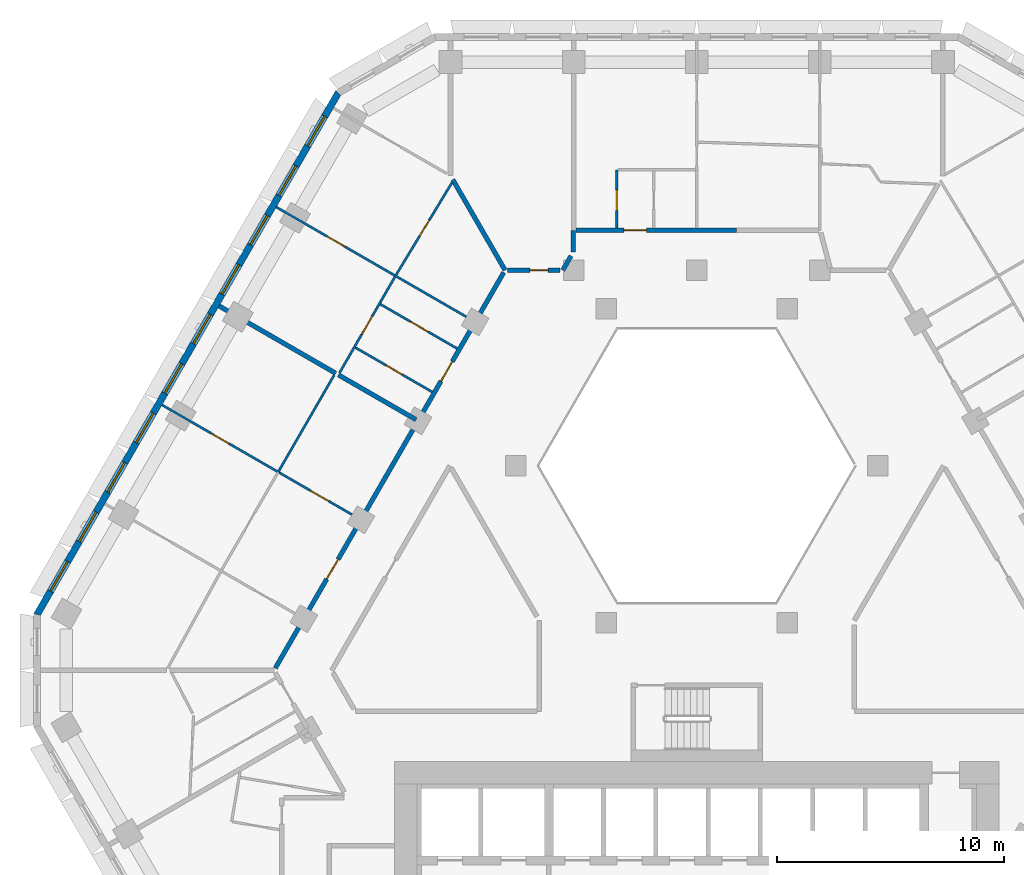
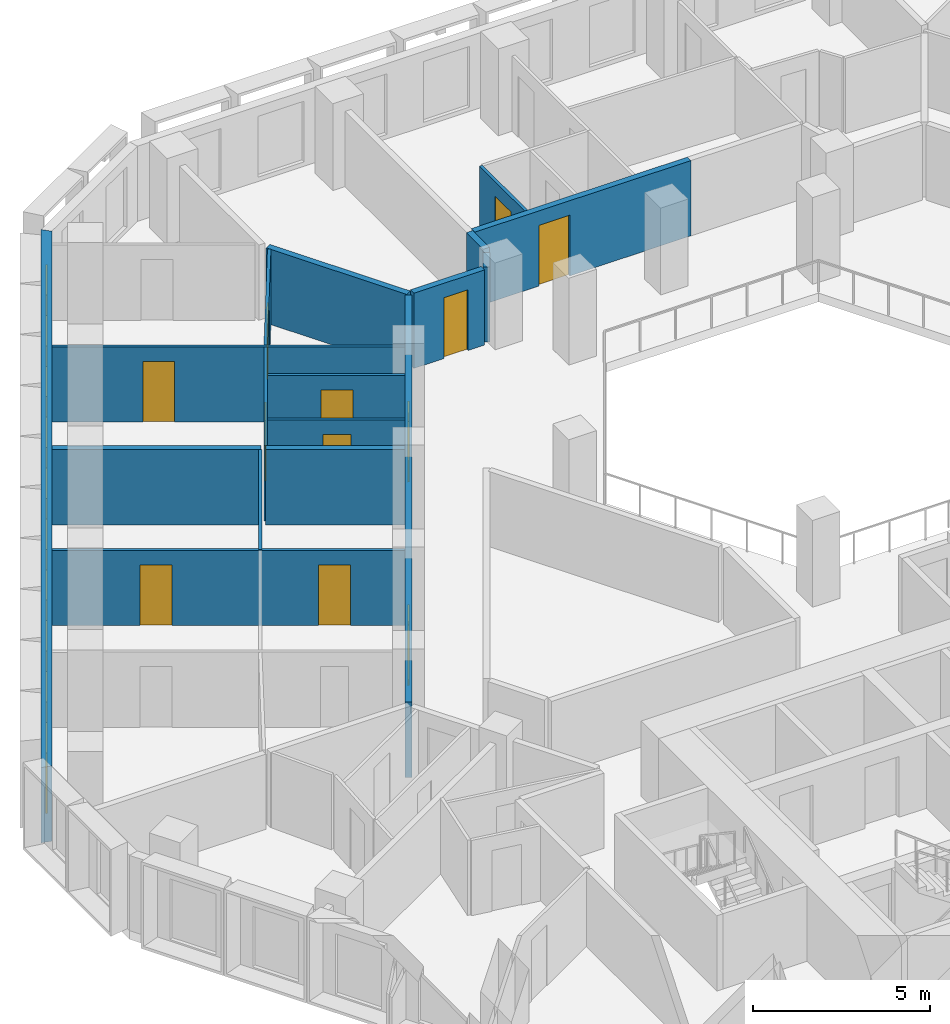
# One storey, part 8 of 18: 17 walls, 12 doors, 10 windows, 22 openings.
"""IFC4 building model written with IfcOpenShell, lengths in metres."""

from ifc_helpers import new_model, si_unit, direction, frame, frame_2d, origin, place, context, subcontext, project, spatial, polyline, rectangle, outline, extrude, material, layer, layer_set, type_object, element, fill, save


model = new_model("IFC4")

# Units and contexts
model_context = context("Model", 3, precision=1e-05, world=origin(), true_north=direction((0.0, 1.0)))
body_context = subcontext(model_context, "Body", "Model", "MODEL_VIEW")
ifc_project = project(units=[si_unit("LENGTHUNIT", "METRE"), si_unit("AREAUNIT", "SQUARE_METRE"), si_unit("VOLUMEUNIT", "CUBIC_METRE"), si_unit("PLANEANGLEUNIT", "RADIAN"), si_unit("MASSUNIT", "GRAM", prefix="KILO")], contexts=[model_context])

# Site, building, storey
site_placement = place(None, origin())
site = spatial("IfcSite", under=ifc_project, at=site_placement, CompositionType="ELEMENT")
building_placement = place(site_placement, origin())
building = spatial("IfcBuilding", under=site, at=building_placement, Name="Beryl Residences", CompositionType="ELEMENT")
storey_placement = place(building_placement, frame((0.0, 0.0, 105.0)))
storey = spatial("IfcBuildingStorey", under=building, at=storey_placement, Name="L32", CompositionType="ELEMENT", Elevation=105.0)

# Wall, openings, windows
ifc_material_1 = material(Name="Composite metal panel with mineral wool insulation")
ifc_layer_1 = layer(ifc_material_1, 0.300048828125)
ifc_layer_set_1 = layer_set([ifc_layer_1], Name="ES1 pale metal composite panel wall 300 mm")
wall_type_1 = type_object("IfcWallType", Name="ES1 pale metal composite panel wall 300 mm", PredefinedType="SOLIDWALL", material=ifc_layer_set_1)
wall_1_placement = place(storey_placement, frame((-15.7470703125, 24.425048828125, 0.0), z_axis=(0.0, 0.0, 1.0), x_axis=(-0.500027479704, -0.866009537788, 0.0)))
wall_1 = element("IfcWall", 1, at=wall_1_placement, inside=storey, type_object=wall_type_1, Name="ES1 external wall L32 NW", PredefinedType="SOLIDWALL", context=body_context, shape_type="SweptSolid", body=[
    extrude(outline(polyline([(0.0, -0.14990234375), (26.55859375, -0.14990234375), (26.478271484375, 0.14990234375), (0.080322265625, 0.14990234375), (0.0, -0.14990234375)])), origin(), (0.0, 0.0, 1.0), 2.60009765625),
])
opening_1_placement = place(wall_1_placement, frame((1.22705078125, 0.0, 0.14990234375)))
opening_1 = element("IfcOpeningElement", 2, at=opening_1_placement, cuts=wall_1, Name="Opening W1", PredefinedType="OPENING", context=body_context, shape_type="SweptSolid", body=[
    extrude(rectangle(XDim=1.5, YDim=2.10009765625, at=frame_2d((0.75, 1.050048828125))), frame((0.0, 0.159912109375, 0.0), z_axis=(0.0, -1.0, 0.0), x_axis=(1.0, 0.0, 0.0)), (0.0, 0.0, 1.0), 0.320068359375),
])
opening_2_placement = place(wall_1_placement, frame((3.739013671875, 0.0, 0.14990234375)))
opening_2 = element("IfcOpeningElement", 3, at=opening_2_placement, cuts=wall_1, Name="Opening W1", PredefinedType="OPENING", context=body_context, shape_type="SweptSolid", body=[
    extrude(rectangle(XDim=1.5, YDim=2.10009765625, at=frame_2d((0.75, 1.050048828125))), frame((0.0, 0.159912109375, 0.0), z_axis=(0.0, -1.0, 0.0), x_axis=(1.0, 0.0, 0.0)), (0.0, 0.0, 1.0), 0.320068359375),
])
opening_3_placement = place(wall_1_placement, frame((6.25, 0.0, 0.14990234375)))
opening_3 = element("IfcOpeningElement", 4, at=opening_3_placement, cuts=wall_1, Name="Opening W1", PredefinedType="OPENING", context=body_context, shape_type="SweptSolid", body=[
    extrude(rectangle(XDim=1.5, YDim=2.10009765625, at=frame_2d((0.75, 1.050048828125))), frame((0.0, 0.159912109375, 0.0), z_axis=(0.0, -1.0, 0.0), x_axis=(1.0, 0.0, 0.0)), (0.0, 0.0, 1.0), 0.320068359375),
])
opening_4_placement = place(wall_1_placement, frame((8.760986328125, 0.0, 0.14990234375)))
opening_4 = element("IfcOpeningElement", 5, at=opening_4_placement, cuts=wall_1, Name="Opening W1", PredefinedType="OPENING", context=body_context, shape_type="SweptSolid", body=[
    extrude(rectangle(XDim=1.5, YDim=2.10009765625, at=frame_2d((0.75, 1.050048828125))), frame((0.0, 0.159912109375, 0.0), z_axis=(0.0, -1.0, 0.0), x_axis=(1.0, 0.0, 0.0)), (0.0, 0.0, 1.0), 0.320068359375),
])
opening_5_placement = place(wall_1_placement, frame((11.27294921875, 0.0, 0.14990234375)))
opening_5 = element("IfcOpeningElement", 6, at=opening_5_placement, cuts=wall_1, Name="Opening W1", PredefinedType="OPENING", context=body_context, shape_type="SweptSolid", body=[
    extrude(rectangle(XDim=1.5, YDim=2.10009765625, at=frame_2d((0.75, 1.050048828125))), frame((0.0, 0.159912109375, 0.0), z_axis=(0.0, -1.0, 0.0), x_axis=(1.0, 0.0, 0.0)), (0.0, 0.0, 1.0), 0.320068359375),
])
opening_6_placement = place(wall_1_placement, frame((13.784912109375, 0.0, 0.14990234375)))
opening_6 = element("IfcOpeningElement", 7, at=opening_6_placement, cuts=wall_1, Name="Opening W1", PredefinedType="OPENING", context=body_context, shape_type="SweptSolid", body=[
    extrude(rectangle(XDim=1.5, YDim=2.10009765625, at=frame_2d((0.75, 1.050048828125))), frame((0.0, 0.159912109375, 0.0), z_axis=(0.0, -1.0, 0.0), x_axis=(1.0, 0.0, 0.0)), (0.0, 0.0, 1.0), 0.320068359375),
])
opening_7_placement = place(wall_1_placement, frame((16.2958984375, 0.0, 0.14990234375)))
opening_7 = element("IfcOpeningElement", 8, at=opening_7_placement, cuts=wall_1, Name="Opening W1", PredefinedType="OPENING", context=body_context, shape_type="SweptSolid", body=[
    extrude(rectangle(XDim=1.5, YDim=2.10009765625, at=frame_2d((0.75, 1.050048828125))), frame((0.0, 0.159912109375, 0.0), z_axis=(0.0, -1.0, 0.0), x_axis=(1.0, 0.0, 0.0)), (0.0, 0.0, 1.0), 0.320068359375),
])
opening_8_placement = place(wall_1_placement, frame((18.806884765625, 0.0, 0.14990234375)))
opening_8 = element("IfcOpeningElement", 9, at=opening_8_placement, cuts=wall_1, Name="Opening W1", PredefinedType="OPENING", context=body_context, shape_type="SweptSolid", body=[
    extrude(rectangle(XDim=1.5, YDim=2.10009765625, at=frame_2d((0.75, 1.050048828125))), frame((0.0, 0.159912109375, 0.0), z_axis=(0.0, -1.0, 0.0), x_axis=(1.0, 0.0, 0.0)), (0.0, 0.0, 1.0), 0.320068359375),
])
opening_9_placement = place(wall_1_placement, frame((21.319091796875, 0.0, 0.14990234375)))
opening_9 = element("IfcOpeningElement", 10, at=opening_9_placement, cuts=wall_1, Name="Opening W1", PredefinedType="OPENING", context=body_context, shape_type="SweptSolid", body=[
    extrude(rectangle(XDim=1.5, YDim=2.10009765625, at=frame_2d((0.75, 1.050048828125))), frame((0.0, 0.159912109375, 0.0), z_axis=(0.0, -1.0, 0.0), x_axis=(1.0, 0.0, 0.0)), (0.0, 0.0, 1.0), 0.320068359375),
])
opening_10_placement = place(wall_1_placement, frame((23.8310546875, 0.0, 0.14990234375)))
opening_10 = element("IfcOpeningElement", 11, at=opening_10_placement, cuts=wall_1, Name="Opening W1", PredefinedType="OPENING", context=body_context, shape_type="SweptSolid", body=[
    extrude(rectangle(XDim=1.5, YDim=2.10009765625, at=frame_2d((0.75, 1.050048828125))), frame((0.0, 0.159912109375, 0.0), z_axis=(0.0, -1.0, 0.0), x_axis=(1.0, 0.0, 0.0)), (0.0, 0.0, 1.0), 0.320068359375),
])
ifc_material_2 = material(Name="Aluminium and clear glass", Category="aluminium")
window_type = type_object("IfcWindowType", Name="W1 cell window 1500 x 2100 mm", PartitioningType="SINGLE_PANEL", PredefinedType="WINDOW", material=ifc_material_2)
window_1_placement = place(opening_1_placement, origin())
window_1 = element("IfcWindow", 12, at=window_1_placement, inside=storey, type_object=window_type, Name="W1 window L32 NW 1", OverallHeight=2.10009765625, OverallWidth=1.5, PartitioningType="SINGLE_PANEL", PredefinedType="WINDOW", context=body_context, shape_type="SweptSolid", body=[
    extrude(rectangle(XDim=1.5, YDim=2.10009765625, at=frame_2d((0.75, 1.050048828125))), frame((0.0, 0.030029296875, 0.0), z_axis=(0.0, -1.0, 0.0), x_axis=(1.0, 0.0, 0.0)), (0.0, 0.0, 1.0), 0.06005859375),
])
fill(opening_1, window_1)
window_2_placement = place(opening_2_placement, origin())
window_2 = element("IfcWindow", 13, at=window_2_placement, inside=storey, type_object=window_type, Name="W1 window L32 NW 2", OverallHeight=2.10009765625, OverallWidth=1.5, PartitioningType="SINGLE_PANEL", PredefinedType="WINDOW", context=body_context, shape_type="SweptSolid", body=[
    extrude(rectangle(XDim=1.5, YDim=2.10009765625, at=frame_2d((0.75, 1.050048828125))), frame((0.0, 0.030029296875, 0.0), z_axis=(0.0, -1.0, 0.0), x_axis=(1.0, 0.0, 0.0)), (0.0, 0.0, 1.0), 0.06005859375),
])
fill(opening_2, window_2)
window_3_placement = place(opening_3_placement, origin())
window_3 = element("IfcWindow", 14, at=window_3_placement, inside=storey, type_object=window_type, Name="W1 window L32 NW 3", OverallHeight=2.10009765625, OverallWidth=1.5, PartitioningType="SINGLE_PANEL", PredefinedType="WINDOW", context=body_context, shape_type="SweptSolid", body=[
    extrude(rectangle(XDim=1.5, YDim=2.10009765625, at=frame_2d((0.75, 1.050048828125))), frame((0.0, 0.030029296875, 0.0), z_axis=(0.0, -1.0, 0.0), x_axis=(1.0, 0.0, 0.0)), (0.0, 0.0, 1.0), 0.06005859375),
])
fill(opening_3, window_3)
window_4_placement = place(opening_4_placement, origin())
window_4 = element("IfcWindow", 15, at=window_4_placement, inside=storey, type_object=window_type, Name="W1 window L32 NW 4", OverallHeight=2.10009765625, OverallWidth=1.5, PartitioningType="SINGLE_PANEL", PredefinedType="WINDOW", context=body_context, shape_type="SweptSolid", body=[
    extrude(rectangle(XDim=1.5, YDim=2.10009765625, at=frame_2d((0.75, 1.050048828125))), frame((0.0, 0.030029296875, 0.0), z_axis=(0.0, -1.0, 0.0), x_axis=(1.0, 0.0, 0.0)), (0.0, 0.0, 1.0), 0.06005859375),
])
fill(opening_4, window_4)
window_5_placement = place(opening_5_placement, origin())
window_5 = element("IfcWindow", 16, at=window_5_placement, inside=storey, type_object=window_type, Name="W1 window L32 NW 5", OverallHeight=2.10009765625, OverallWidth=1.5, PartitioningType="SINGLE_PANEL", PredefinedType="WINDOW", context=body_context, shape_type="SweptSolid", body=[
    extrude(rectangle(XDim=1.5, YDim=2.10009765625, at=frame_2d((0.75, 1.050048828125))), frame((0.0, 0.030029296875, 0.0), z_axis=(0.0, -1.0, 0.0), x_axis=(1.0, 0.0, 0.0)), (0.0, 0.0, 1.0), 0.06005859375),
])
fill(opening_5, window_5)
window_6_placement = place(opening_6_placement, origin())
window_6 = element("IfcWindow", 17, at=window_6_placement, inside=storey, type_object=window_type, Name="W1 window L32 NW 6", OverallHeight=2.10009765625, OverallWidth=1.5, PartitioningType="SINGLE_PANEL", PredefinedType="WINDOW", context=body_context, shape_type="SweptSolid", body=[
    extrude(rectangle(XDim=1.5, YDim=2.10009765625, at=frame_2d((0.75, 1.050048828125))), frame((0.0, 0.030029296875, 0.0), z_axis=(0.0, -1.0, 0.0), x_axis=(1.0, 0.0, 0.0)), (0.0, 0.0, 1.0), 0.06005859375),
])
fill(opening_6, window_6)
window_7_placement = place(opening_7_placement, origin())
window_7 = element("IfcWindow", 18, at=window_7_placement, inside=storey, type_object=window_type, Name="W1 window L32 NW 7", OverallHeight=2.10009765625, OverallWidth=1.5, PartitioningType="SINGLE_PANEL", PredefinedType="WINDOW", context=body_context, shape_type="SweptSolid", body=[
    extrude(rectangle(XDim=1.5, YDim=2.10009765625, at=frame_2d((0.75, 1.050048828125))), frame((0.0, 0.030029296875, 0.0), z_axis=(0.0, -1.0, 0.0), x_axis=(1.0, 0.0, 0.0)), (0.0, 0.0, 1.0), 0.06005859375),
])
fill(opening_7, window_7)
window_8_placement = place(opening_8_placement, origin())
window_8 = element("IfcWindow", 19, at=window_8_placement, inside=storey, type_object=window_type, Name="W1 window L32 NW 8", OverallHeight=2.10009765625, OverallWidth=1.5, PartitioningType="SINGLE_PANEL", PredefinedType="WINDOW", context=body_context, shape_type="SweptSolid", body=[
    extrude(rectangle(XDim=1.5, YDim=2.10009765625, at=frame_2d((0.75, 1.050048828125))), frame((0.0, 0.030029296875, 0.0), z_axis=(0.0, -1.0, 0.0), x_axis=(1.0, 0.0, 0.0)), (0.0, 0.0, 1.0), 0.06005859375),
])
fill(opening_8, window_8)
window_9_placement = place(opening_9_placement, origin())
window_9 = element("IfcWindow", 20, at=window_9_placement, inside=storey, type_object=window_type, Name="W1 window L32 NW 9", OverallHeight=2.10009765625, OverallWidth=1.5, PartitioningType="SINGLE_PANEL", PredefinedType="WINDOW", context=body_context, shape_type="SweptSolid", body=[
    extrude(rectangle(XDim=1.5, YDim=2.10009765625, at=frame_2d((0.75, 1.050048828125))), frame((0.0, 0.030029296875, 0.0), z_axis=(0.0, -1.0, 0.0), x_axis=(1.0, 0.0, 0.0)), (0.0, 0.0, 1.0), 0.06005859375),
])
fill(opening_9, window_9)
window_10_placement = place(opening_10_placement, origin())
window_10 = element("IfcWindow", 21, at=window_10_placement, inside=storey, type_object=window_type, Name="W1 window L32 NW 10", OverallHeight=2.10009765625, OverallWidth=1.5, PartitioningType="SINGLE_PANEL", PredefinedType="WINDOW", context=body_context, shape_type="SweptSolid", body=[
    extrude(rectangle(XDim=1.5, YDim=2.10009765625, at=frame_2d((0.75, 1.050048828125))), frame((0.0, 0.030029296875, 0.0), z_axis=(0.0, -1.0, 0.0), x_axis=(1.0, 0.0, 0.0)), (0.0, 0.0, 1.0), 0.06005859375),
])
fill(opening_10, window_10)

# Wall, openings, doors
ifc_material_3 = material(Name="Gypsum board partition on steel studs", Category="steel")
ifc_layer_2 = layer(ifc_material_3, 0.10009765625)
ifc_layer_set_2 = layer_set([ifc_layer_2], Name="PT1 partition 100 mm gypsum board on steel studs")
wall_type_2 = type_object("IfcWallType", Name="PT1 partition 100 mm gypsum board on steel studs", PredefinedType="PARTITIONING", material=ifc_layer_set_2)
wall_2_placement = place(storey_placement, frame((-23.512939453125, 10.675048828125, 0.0), z_axis=(0.0, 0.0, 1.0), x_axis=(0.866041268327, -0.499972520799, 0.0)))
wall_2 = element("IfcWall", 22, at=wall_2_placement, inside=storey, type_object=wall_type_2, Name="Wall PT1 L32 020", PredefinedType="PARTITIONING", context=body_context, shape_type="SweptSolid", body=[
    extrude(rectangle(XDim=10.00048828125, YDim=0.10009765625, at=frame_2d((5.000244140625, 0.0))), origin(), (0.0, 0.0, 1.0), 2.60009765625),
])
opening_11_placement = place(wall_2_placement, frame((7.550048828125, 0.0, 0.0)))
opening_11 = element("IfcOpeningElement", 23, at=opening_11_placement, cuts=wall_2, Name="Opening D0752", PredefinedType="OPENING", context=body_context, shape_type="SweptSolid", body=[
    extrude(rectangle(XDim=0.89990234375, YDim=2.10009765625, at=frame_2d((0.449951171875, 1.050048828125))), frame((0.0, 0.06005859375, 0.0), z_axis=(0.0, -1.0, 0.0), x_axis=(1.0, 0.0, 0.0)), (0.0, 0.0, 1.0), 0.1201171875),
])
opening_12_placement = place(wall_2_placement, frame((2.5, 0.0, 0.0)))
opening_12 = element("IfcOpeningElement", 24, at=opening_12_placement, cuts=wall_2, Name="Opening D0754", PredefinedType="OPENING", context=body_context, shape_type="SweptSolid", body=[
    extrude(rectangle(XDim=0.89990234375, YDim=2.10009765625, at=frame_2d((0.449951171875, 1.050048828125))), frame((0.0, 0.06005859375, 0.0), z_axis=(0.0, -1.0, 0.0), x_axis=(1.0, 0.0, 0.0)), (0.0, 0.0, 1.0), 0.1201171875),
])
ifc_material_4 = material(Name="Timber door leaf", Category="wood")
door_type_1 = type_object("IfcDoorType", Name="D2 room door 900 x 2100 mm", OperationType="SINGLE_SWING_LEFT", PredefinedType="DOOR", material=ifc_material_4)
door_1_placement = place(opening_11_placement, origin())
door_1 = element("IfcDoor", 25, at=door_1_placement, inside=storey, type_object=door_type_1, Name="Door D0752 L32 001", OperationType="SINGLE_SWING_RIGHT", OverallHeight=2.10009765625, OverallWidth=0.89990234375, PredefinedType="DOOR", context=body_context, shape_type="SweptSolid", body=[
    extrude(rectangle(XDim=0.89990234375, YDim=2.10009765625, at=frame_2d((0.449951171875, 1.050048828125))), frame((0.0, 0.02490234375, 0.0), z_axis=(0.0, -1.0, 0.0), x_axis=(1.0, 0.0, 0.0)), (0.0, 0.0, 1.0), 0.050048828125),
])
fill(opening_11, door_1)
door_2_placement = place(opening_12_placement, origin())
door_2 = element("IfcDoor", 26, at=door_2_placement, inside=storey, type_object=door_type_1, Name="Door D0754 L32 001", OperationType="SINGLE_SWING_RIGHT", OverallHeight=2.10009765625, OverallWidth=0.89990234375, PredefinedType="DOOR", context=body_context, shape_type="SweptSolid", body=[
    extrude(rectangle(XDim=0.89990234375, YDim=2.10009765625, at=frame_2d((0.449951171875, 1.050048828125))), frame((0.0, 0.02490234375, 0.0), z_axis=(0.0, -1.0, 0.0), x_axis=(1.0, 0.0, 0.0)), (0.0, 0.0, 1.0), 0.050048828125),
])
fill(opening_12, door_2)

# Wall, opening, door
wall_3_placement = place(storey_placement, frame((-15.009033203125, 13.196044921875, 0.0), z_axis=(0.0, 0.0, 1.0), x_axis=(0.865916335424, -0.500188864377, 0.0)))
wall_3 = element("IfcWall", 27, at=wall_3_placement, inside=storey, type_object=wall_type_2, Name="Wall PT1 L32 022", PredefinedType="PARTITIONING", context=body_context, shape_type="SweptSolid", body=[
    extrude(rectangle(XDim=3.896484375, YDim=0.10009765625, at=frame_2d((1.9482421875, 0.0))), origin(), (0.0, 0.0, 1.0), 2.60009765625),
])
opening_13_placement = place(wall_3_placement, frame((1.572998046875, 0.0, 0.0)))
opening_13 = element("IfcOpeningElement", 28, at=opening_13_placement, cuts=wall_3, Name="Opening D0743", PredefinedType="OPENING", context=body_context, shape_type="SweptSolid", body=[
    extrude(rectangle(XDim=0.800048828125, YDim=2.10009765625, at=frame_2d((0.39990234375, 1.050048828125))), frame((0.0, 0.06005859375, 0.0), z_axis=(0.0, -1.0, 0.0), x_axis=(1.0, 0.0, 0.0)), (0.0, 0.0, 1.0), 0.1201171875),
])
ifc_material_5 = material(Name="Timber door leaf", Category="wood")
door_type_2 = type_object("IfcDoorType", Name="D3 bathroom door 800 x 2100 mm", OperationType="SINGLE_SWING_LEFT", PredefinedType="DOOR", material=ifc_material_5)
door_3_placement = place(opening_13_placement, origin())
door_3 = element("IfcDoor", 29, at=door_3_placement, inside=storey, type_object=door_type_2, Name="Door D0743 L32 001", OperationType="SINGLE_SWING_LEFT", OverallHeight=2.10009765625, OverallWidth=0.800048828125, PredefinedType="DOOR", context=body_context, shape_type="SweptSolid", body=[
    extrude(rectangle(XDim=0.800048828125, YDim=2.10009765625, at=frame_2d((0.39990234375, 1.050048828125))), frame((0.0, 0.02490234375, 0.0), z_axis=(0.0, -1.0, 0.0), x_axis=(1.0, 0.0, 0.0)), (0.0, 0.0, 1.0), 0.050048828125),
])
fill(opening_13, door_3)

wall_4_placement = place(storey_placement, frame((-13.908935546875, 15.10107421875, 0.0), z_axis=(0.0, 0.0, 1.0), x_axis=(0.866024880635, -0.500000906121, 0.0)))
wall_4 = element("IfcWall", 30, at=wall_4_placement, inside=storey, type_object=wall_type_2, Name="Wall PT1 L32 024", PredefinedType="PARTITIONING", context=body_context, shape_type="SweptSolid", body=[
    extrude(rectangle(XDim=3.89599609375, YDim=0.10009765625, at=frame_2d((1.947998046875, 0.0))), origin(), (0.0, 0.0, 1.0), 2.60009765625),
])
opening_14_placement = place(wall_4_placement, frame((1.52294921875, 0.0, 0.0)))
opening_14 = element("IfcOpeningElement", 31, at=opening_14_placement, cuts=wall_4, Name="Opening D0744", PredefinedType="OPENING", context=body_context, shape_type="SweptSolid", body=[
    extrude(rectangle(XDim=0.89990234375, YDim=2.10009765625, at=frame_2d((0.449951171875, 1.050048828125))), frame((0.0, 0.06005859375, 0.0), z_axis=(0.0, -1.0, 0.0), x_axis=(1.0, 0.0, 0.0)), (0.0, 0.0, 1.0), 0.1201171875),
])
door_4_placement = place(opening_14_placement, origin())
door_4 = element("IfcDoor", 32, at=door_4_placement, inside=storey, type_object=door_type_1, Name="Door D0744 L32 001", OperationType="SINGLE_SWING_RIGHT", OverallHeight=2.10009765625, OverallWidth=0.89990234375, PredefinedType="DOOR", context=body_context, shape_type="SweptSolid", body=[
    extrude(rectangle(XDim=0.89990234375, YDim=2.10009765625, at=frame_2d((0.449951171875, 1.050048828125))), frame((0.0, 0.02490234375, 0.0), z_axis=(0.0, -1.0, 0.0), x_axis=(1.0, 0.0, 0.0)), (0.0, 0.0, 1.0), 0.050048828125),
])
fill(opening_14, door_4)

wall_5_placement = place(storey_placement, frame((-18.489013671875, 19.375, 0.0), z_axis=(0.0, 0.0, 1.0), x_axis=(0.866016855193, -0.500014806302, 0.0)))
wall_5 = element("IfcWall", 33, at=wall_5_placement, inside=storey, type_object=wall_type_2, Name="Wall PT1 L32 025", PredefinedType="PARTITIONING", context=body_context, shape_type="SweptSolid", body=[
    extrude(rectangle(XDim=9.999755859375, YDim=0.10009765625, at=frame_2d((5.0, 0.0))), origin(), (0.0, 0.0, 1.0), 2.60009765625),
])
opening_15_placement = place(wall_5_placement, frame((2.576904296875, 0.0, 0.0)))
opening_15 = element("IfcOpeningElement", 34, at=opening_15_placement, cuts=wall_5, Name="Opening D0746", PredefinedType="OPENING", context=body_context, shape_type="SweptSolid", body=[
    extrude(rectangle(XDim=0.89990234375, YDim=2.10009765625, at=frame_2d((0.449951171875, 1.050048828125))), frame((0.0, 0.06005859375, 0.0), z_axis=(0.0, -1.0, 0.0), x_axis=(1.0, 0.0, 0.0)), (0.0, 0.0, 1.0), 0.1201171875),
])
door_5_placement = place(opening_15_placement, origin())
door_5 = element("IfcDoor", 35, at=door_5_placement, inside=storey, type_object=door_type_1, Name="Door D0746 L32 001", OperationType="SINGLE_SWING_RIGHT", OverallHeight=2.10009765625, OverallWidth=0.89990234375, PredefinedType="DOOR", context=body_context, shape_type="SweptSolid", body=[
    extrude(rectangle(XDim=0.89990234375, YDim=2.10009765625, at=frame_2d((0.449951171875, 1.050048828125))), frame((0.0, 0.02490234375, 0.0), z_axis=(0.0, -1.0, 0.0), x_axis=(1.0, 0.0, 0.0)), (0.0, 0.0, 1.0), 0.050048828125),
])
fill(opening_15, door_5)

wall_6_placement = place(storey_placement, frame((-13.220947265625, 16.39111328125, 0.0), z_axis=(0.0, 0.0, 1.0), x_axis=(0.518164725284, 0.855280841286, 0.0)))
wall_6 = element("IfcWall", 36, at=wall_6_placement, inside=storey, type_object=wall_type_2, Name="Wall PT1 L32 030", PredefinedType="PARTITIONING", context=body_context, shape_type="SweptSolid", body=[
    extrude(rectangle(XDim=4.739990234375, YDim=0.10009765625, at=frame_2d((2.3701171875, 0.0))), origin(), (0.0, 0.0, 1.0), 2.60009765625),
])
opening_16_placement = place(wall_6_placement, frame((2.001953125, 0.0, 0.0)))
opening_16 = element("IfcOpeningElement", 37, at=opening_16_placement, cuts=wall_6, Name="Opening D0748", PredefinedType="OPENING", context=body_context, shape_type="SweptSolid", body=[
    extrude(rectangle(XDim=0.800048828125, YDim=2.10009765625, at=frame_2d((0.39990234375, 1.050048828125))), frame((0.0, 0.06005859375, 0.0), z_axis=(0.0, -1.0, 0.0), x_axis=(1.0, 0.0, 0.0)), (0.0, 0.0, 1.0), 0.1201171875),
])
door_6_placement = place(opening_16_placement, origin())
door_6 = element("IfcDoor", 38, at=door_6_placement, inside=storey, type_object=door_type_2, Name="Door D0748 L32 001", OperationType="SINGLE_SWING_RIGHT", OverallHeight=2.10009765625, OverallWidth=0.800048828125, PredefinedType="DOOR", context=body_context, shape_type="SweptSolid", body=[
    extrude(rectangle(XDim=0.800048828125, YDim=2.10009765625, at=frame_2d((0.39990234375, 1.050048828125))), frame((0.0, 0.02490234375, 0.0), z_axis=(0.0, -1.0, 0.0), x_axis=(1.0, 0.0, 0.0)), (0.0, 0.0, 1.0), 0.050048828125),
])
fill(opening_16, door_6)

wall_7_placement = place(storey_placement, frame((-15.7080078125, 12.0849609375, 0.0), z_axis=(0.0, 0.0, 1.0), x_axis=(0.499943653708, 0.866057932887, 0.0)))
wall_7 = element("IfcWall", 39, at=wall_7_placement, inside=storey, type_object=wall_type_2, Name="Wall PT1 L32 031", PredefinedType="PARTITIONING", context=body_context, shape_type="SweptSolid", body=[
    extrude(rectangle(XDim=4.87255859375, YDim=0.10009765625, at=frame_2d((2.436279296875, 0.0))), origin(), (0.0, 0.0, 1.0), 2.60009765625),
])
opening_17_placement = place(wall_7_placement, frame((1.9619140625, 0.0, 0.0)))
opening_17 = element("IfcOpeningElement", 40, at=opening_17_placement, cuts=wall_7, Name="Opening D0745", PredefinedType="OPENING", context=body_context, shape_type="SweptSolid", body=[
    extrude(rectangle(XDim=0.89990234375, YDim=2.10009765625, at=frame_2d((0.449951171875, 1.050048828125))), frame((0.0, 0.06005859375, 0.0), z_axis=(0.0, -1.0, 0.0), x_axis=(1.0, 0.0, 0.0)), (0.0, 0.0, 1.0), 0.1201171875),
])
door_7_placement = place(opening_17_placement, origin())
door_7 = element("IfcDoor", 41, at=door_7_placement, inside=storey, type_object=door_type_1, Name="Door D0745 L32 001", OperationType="SINGLE_SWING_LEFT", OverallHeight=2.10009765625, OverallWidth=0.89990234375, PredefinedType="DOOR", context=body_context, shape_type="SweptSolid", body=[
    extrude(rectangle(XDim=0.89990234375, YDim=2.10009765625, at=frame_2d((0.449951171875, 1.050048828125))), frame((0.0, 0.02490234375, 0.0), z_axis=(0.0, -1.0, 0.0), x_axis=(1.0, 0.0, 0.0)), (0.0, 0.0, 1.0), 0.050048828125),
])
fill(opening_17, door_7)

wall_8_placement = place(storey_placement, frame((-3.51904296875, 18.449951171875, 0.0), z_axis=(0.0, 0.0, 1.0), x_axis=(0.0, 1.0, 0.0)))
wall_8 = element("IfcWall", 42, at=wall_8_placement, inside=storey, type_object=wall_type_2, Name="Wall PT1 L32 046", PredefinedType="PARTITIONING", context=body_context, shape_type="SweptSolid", body=[
    extrude(rectangle(XDim=2.55908203125, YDim=0.10009765625, at=frame_2d((1.279541015625, 0.0))), origin(), (0.0, 0.0, 1.0), 2.60009765625),
])
opening_18_placement = place(wall_8_placement, frame((0.780029296875, 0.0, 0.0)))
opening_18 = element("IfcOpeningElement", 43, at=opening_18_placement, cuts=wall_8, Name="Opening D0735", PredefinedType="OPENING", context=body_context, shape_type="SweptSolid", body=[
    extrude(rectangle(XDim=0.89990234375, YDim=2.10009765625, at=frame_2d((0.449951171875, 1.050048828125))), frame((0.0, 0.06005859375, 0.0), z_axis=(0.0, -1.0, 0.0), x_axis=(1.0, 0.0, 0.0)), (0.0, 0.0, 1.0), 0.1201171875),
])
door_8_placement = place(opening_18_placement, origin())
door_8 = element("IfcDoor", 44, at=door_8_placement, inside=storey, type_object=door_type_1, Name="Door D0735 L32 001", OperationType="SINGLE_SWING_LEFT", OverallHeight=2.10009765625, OverallWidth=0.89990234375, PredefinedType="DOOR", context=body_context, shape_type="SweptSolid", body=[
    extrude(rectangle(XDim=0.89990234375, YDim=2.10009765625, at=frame_2d((0.449951171875, 1.050048828125))), frame((0.0, 0.02490234375, 0.0), z_axis=(0.0, -1.0, 0.0), x_axis=(1.0, 0.0, 0.0)), (0.0, 0.0, 1.0), 0.050048828125),
])
fill(opening_18, door_8)

# Walls
wall_9_placement = place(storey_placement, frame((-18.403076171875, 7.72509765625, 0.0), z_axis=(0.0, 0.0, 1.0), x_axis=(0.499995794706, 0.866027831699, 0.0)))
element("IfcWall", 45, at=wall_9_placement, inside=storey, type_object=wall_type_2, Name="Wall PT1 L32 062", PredefinedType="PARTITIONING", context=body_context, shape_type="SweptSolid", body=[
    extrude(rectangle(XDim=4.92236328125, YDim=0.10009765625, at=frame_2d((2.461181640625, 0.0))), origin(), (0.0, 0.0, 1.0), 2.60009765625),
])
ifc_material_6 = material(Name="Acoustic double stud gypsum board wall")
ifc_layer_3 = layer(ifc_material_6, 0.199951171875)
ifc_layer_set_3 = layer_set([ifc_layer_3], Name="PT3 party wall 200 mm acoustic double stud")
wall_type_3 = type_object("IfcWallType", Name="PT3 party wall 200 mm acoustic double stud", PredefinedType="PARTITIONING", material=ifc_layer_set_3)
wall_10_placement = place(storey_placement, frame((-10.72705078125, 20.580078125, 0.0), z_axis=(0.0, 0.0, 1.0), x_axis=(0.500041272028, -0.866001574057, 0.0)))
element("IfcWall", 46, at=wall_10_placement, inside=storey, type_object=wall_type_3, Name="Wall PT3 L32 001", PredefinedType="PARTITIONING", context=body_context, shape_type="SweptSolid", body=[
    extrude(rectangle(XDim=4.595703125, YDim=0.199951171875, at=frame_2d((2.2978515625, 0.0))), origin(), (0.0, 0.0, 1.0), 2.60009765625),
])
wall_11_placement = place(storey_placement, frame((-21.0009765625, 15.02490234375, 0.0), z_axis=(0.0, 0.0, 1.0), x_axis=(0.866031754707, -0.499988999718, 0.0)))
element("IfcWall", 47, at=wall_11_placement, inside=storey, type_object=wall_type_3, Name="Wall PT3 L32 006", PredefinedType="PARTITIONING", context=body_context, shape_type="SweptSolid", body=[
    extrude(rectangle(XDim=5.920166015625, YDim=0.199951171875, at=frame_2d((2.9599609375, 0.0))), origin(), (0.0, 0.0, 1.0), 2.60009765625),
])
wall_12_placement = place(storey_placement, frame((-15.758056640625, 11.998046875, 0.0), z_axis=(0.0, 0.0, 1.0), x_axis=(0.865987741337, -0.5000652276, 0.0)))
element("IfcWall", 48, at=wall_12_placement, inside=storey, type_object=wall_type_3, Name="Wall PT3 L32 007", PredefinedType="PARTITIONING", context=body_context, shape_type="SweptSolid", body=[
    extrude(rectangle(XDim=3.94580078125, YDim=0.199951171875, at=frame_2d((1.972900390625, 0.0))), origin(), (0.0, 0.0, 1.0), 2.60009765625),
])

# Wall, opening, door
ifc_material_7 = material(Name="Double stud gypsum board wall")
ifc_layer_4 = layer(ifc_material_7, 0.199951171875)
ifc_layer_set_4 = layer_set([ifc_layer_4], Name="PT4 corridor wall 200 mm double stud")
wall_type_4 = type_object("IfcWallType", Name="PT4 corridor wall 200 mm double stud", PredefinedType="PARTITIONING", material=ifc_layer_set_4)
wall_13_placement = place(storey_placement, frame((-8.31396484375, 16.60009765625, 0.0), z_axis=(0.0, 0.0, 1.0), x_axis=(1.0, 0.0, 0.0)))
wall_13 = element("IfcWall", 49, at=wall_13_placement, inside=storey, type_object=wall_type_4, Name="Wall PT4 L32 019", PredefinedType="PARTITIONING", context=body_context, shape_type="SweptSolid", body=[
    extrude(rectangle(XDim=2.30908203125, YDim=0.199951171875, at=frame_2d((1.154541015625, 0.0))), origin(), (0.0, 0.0, 1.0), 2.60009765625),
])
opening_19_placement = place(wall_13_placement, frame((0.97705078125, 0.0, 0.0)))
opening_19 = element("IfcOpeningElement", 50, at=opening_19_placement, cuts=wall_13, Name="Opening D0741", PredefinedType="OPENING", context=body_context, shape_type="SweptSolid", body=[
    extrude(rectangle(XDim=0.800048828125, YDim=2.10009765625, at=frame_2d((0.39990234375, 1.050048828125))), frame((0.0, 0.10986328125, 0.0), z_axis=(0.0, -1.0, 0.0), x_axis=(1.0, 0.0, 0.0)), (0.0, 0.0, 1.0), 0.219970703125),
])
door_9_placement = place(opening_19_placement, origin())
door_9 = element("IfcDoor", 51, at=door_9_placement, inside=storey, type_object=door_type_2, Name="Door D0741 L32 001", OperationType="SINGLE_SWING_LEFT", OverallHeight=2.10009765625, OverallWidth=0.800048828125, PredefinedType="DOOR", context=body_context, shape_type="SweptSolid", body=[
    extrude(rectangle(XDim=0.800048828125, YDim=2.10009765625, at=frame_2d((0.39990234375, 1.050048828125))), frame((0.0, 0.02490234375, 0.0), z_axis=(0.0, -1.0, 0.0), x_axis=(1.0, 0.0, 0.0)), (0.0, 0.0, 1.0), 0.050048828125),
])
fill(opening_19, door_9)

wall_14_placement = place(storey_placement, frame((-5.31396484375, 18.35009765625, 0.0), z_axis=(0.0, 0.0, 1.0), x_axis=(1.0, 0.0, 0.0)))
wall_14 = element("IfcWall", 52, at=wall_14_placement, inside=storey, type_object=wall_type_4, Name="Wall PT4 L32 022", PredefinedType="PARTITIONING", context=body_context, shape_type="SweptSolid", body=[
    extrude(rectangle(XDim=7.06201171875, YDim=0.199951171875, at=frame_2d((3.531005859375, 0.0))), origin(), (0.0, 0.0, 1.0), 2.60009765625),
])
opening_20_placement = place(wall_14_placement, frame((2.10595703125, 0.0, 0.0)))
opening_20 = element("IfcOpeningElement", 53, at=opening_20_placement, cuts=wall_14, Name="Opening D0734", PredefinedType="OPENING", context=body_context, shape_type="SweptSolid", body=[
    extrude(rectangle(XDim=1.0, YDim=2.10009765625, at=frame_2d((0.5, 1.050048828125))), frame((0.0, 0.10986328125, 0.0), z_axis=(0.0, -1.0, 0.0), x_axis=(1.0, 0.0, 0.0)), (0.0, 0.0, 1.0), 0.219970703125),
])
ifc_material_8 = material(Name="Timber door leaf", Category="wood")
door_type_3 = type_object("IfcDoorType", Name="D1 flat entrance door 1000 x 2100 mm", OperationType="SINGLE_SWING_LEFT", PredefinedType="DOOR", material=ifc_material_8)
door_10_placement = place(opening_20_placement, origin())
door_10 = element("IfcDoor", 54, at=door_10_placement, inside=storey, type_object=door_type_3, Name="Door D0734 L32 001", OperationType="SINGLE_SWING_RIGHT", OverallHeight=2.10009765625, OverallWidth=1.0, PredefinedType="DOOR", context=body_context, shape_type="SweptSolid", body=[
    extrude(rectangle(XDim=1.0, YDim=2.10009765625, at=frame_2d((0.5, 1.050048828125))), frame((0.0, 0.02490234375, 0.0), z_axis=(0.0, -1.0, 0.0), x_axis=(1.0, 0.0, 0.0)), (0.0, 0.0, 1.0), 0.050048828125),
])
fill(opening_20, door_10)

# Wall
wall_15_placement = place(storey_placement, frame((-5.888916015625, 16.60009765625, 0.0), z_axis=(0.0, 0.0, 1.0), x_axis=(0.499839240638, 0.866118198353, 0.0)))
element("IfcWall", 55, at=wall_15_placement, inside=storey, type_object=wall_type_4, Name="Wall PT4 L32 027", PredefinedType="PARTITIONING", context=body_context, shape_type="SweptSolid", body=[
    extrude(rectangle(XDim=0.723876953125, YDim=0.199951171875, at=frame_2d((0.36181640625, 0.0))), origin(), (0.0, 0.0, 1.0), 2.60009765625),
])

# Wall, openings, doors
wall_16_placement = place(storey_placement, frame((-18.532958984375, -0.90087890625, 0.0), z_axis=(0.0, 0.0, 1.0), x_axis=(0.499981198768, 0.866036258409, 0.0)))
wall_16 = element("IfcWall", 56, at=wall_16_placement, inside=storey, type_object=wall_type_4, Name="Wall PT4 L32 028", PredefinedType="PARTITIONING", context=body_context, shape_type="SweptSolid", body=[
    extrude(rectangle(XDim=20.092529296875, YDim=0.199951171875, at=frame_2d((10.04638671875, 0.0))), origin(), (0.0, 0.0, 1.0), 2.60009765625),
])
opening_21_placement = place(wall_16_placement, frame((14.570068359375, 0.0, 0.0)))
opening_21 = element("IfcOpeningElement", 57, at=opening_21_placement, cuts=wall_16, Name="Opening D0742", PredefinedType="OPENING", context=body_context, shape_type="SweptSolid", body=[
    extrude(rectangle(XDim=1.0, YDim=2.10009765625, at=frame_2d((0.5, 1.050048828125))), frame((0.0, 0.10986328125, 0.0), z_axis=(0.0, -1.0, 0.0), x_axis=(1.0, 0.0, 0.0)), (0.0, 0.0, 1.0), 0.219970703125),
])
opening_22_placement = place(wall_16_placement, frame((4.52294921875, 0.0, 0.0)))
opening_22 = element("IfcOpeningElement", 58, at=opening_22_placement, cuts=wall_16, Name="Opening D0749", PredefinedType="OPENING", context=body_context, shape_type="SweptSolid", body=[
    extrude(rectangle(XDim=1.0, YDim=2.10009765625, at=frame_2d((0.5, 1.050048828125))), frame((0.0, 0.10986328125, 0.0), z_axis=(0.0, -1.0, 0.0), x_axis=(1.0, 0.0, 0.0)), (0.0, 0.0, 1.0), 0.219970703125),
])
door_11_placement = place(opening_21_placement, origin())
door_11 = element("IfcDoor", 59, at=door_11_placement, inside=storey, type_object=door_type_3, Name="Door D0742 L32 001", OperationType="SINGLE_SWING_RIGHT", OverallHeight=2.10009765625, OverallWidth=1.0, PredefinedType="DOOR", context=body_context, shape_type="SweptSolid", body=[
    extrude(rectangle(XDim=1.0, YDim=2.10009765625, at=frame_2d((0.5, 1.050048828125))), frame((0.0, 0.02490234375, 0.0), z_axis=(0.0, -1.0, 0.0), x_axis=(1.0, 0.0, 0.0)), (0.0, 0.0, 1.0), 0.050048828125),
])
fill(opening_21, door_11)
door_12_placement = place(opening_22_placement, origin())
door_12 = element("IfcDoor", 60, at=door_12_placement, inside=storey, type_object=door_type_3, Name="Door D0749 L32 001", OperationType="SINGLE_SWING_LEFT", OverallHeight=2.10009765625, OverallWidth=1.0, PredefinedType="DOOR", context=body_context, shape_type="SweptSolid", body=[
    extrude(rectangle(XDim=1.0, YDim=2.10009765625, at=frame_2d((0.5, 1.050048828125))), frame((0.0, 0.02490234375, 0.0), z_axis=(0.0, -1.0, 0.0), x_axis=(1.0, 0.0, 0.0)), (0.0, 0.0, 1.0), 0.050048828125),
])
fill(opening_22, door_12)

# Wall
wall_17_placement = place(storey_placement, frame((-5.427001953125, 17.39990234375, 0.0), z_axis=(0.0, 0.0, 1.0), x_axis=(0.0, 1.0, 0.0)))
element("IfcWall", 61, at=wall_17_placement, inside=storey, type_object=wall_type_4, Name="Wall PT4 L32 031", PredefinedType="PARTITIONING", context=body_context, shape_type="SweptSolid", body=[
    extrude(rectangle(XDim=0.9501953125, YDim=0.199951171875, at=frame_2d((0.47509765625, 0.0))), origin(), (0.0, 0.0, 1.0), 2.60009765625),
])

save(model, "model.ifc")
